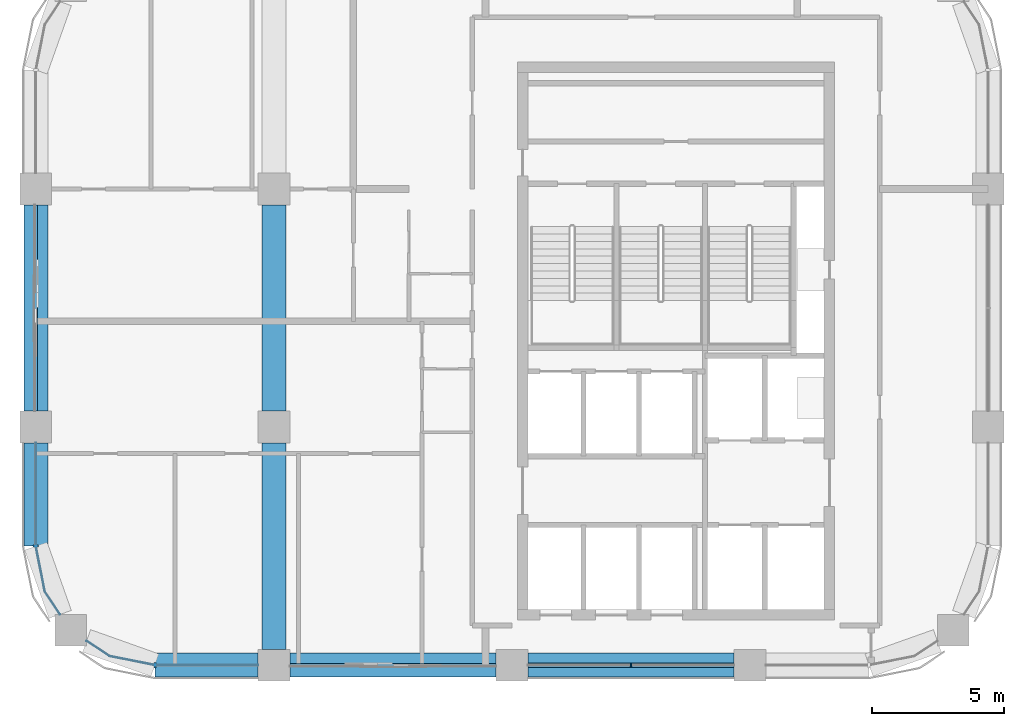
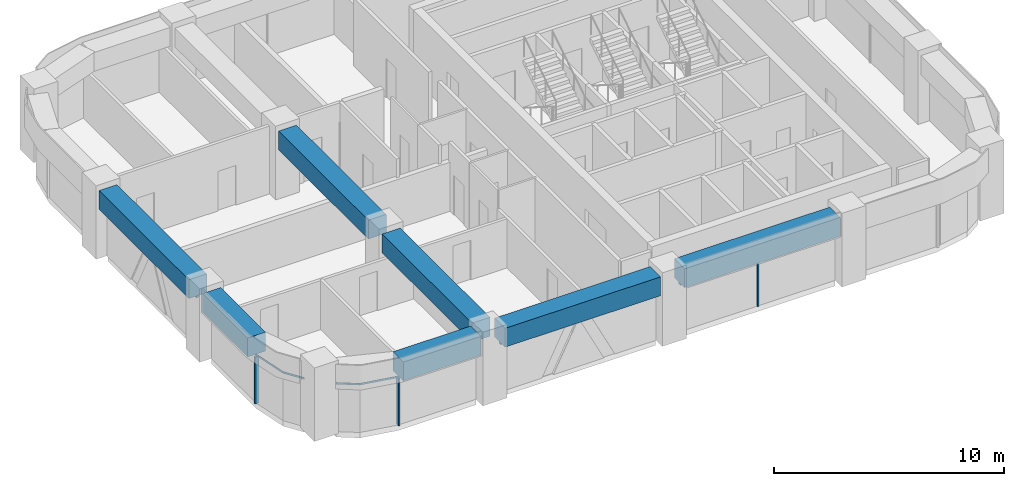
# One storey, part 2 of 10: 8 members, 7 beams, 5 elements without a shape of their own.
"""IFC4 building model written with IfcOpenShell, lengths in metres."""

from ifc_helpers import new_model, si_unit, direction, frame, origin, origin_2d, place, context, subcontext, project, spatial, polyline, rectangle, outline, extrude, material, material_profile, profile_set, type_object, element, aggregate, save


model = new_model("IFC4")

# Units and contexts
model_context = context("Model", 3, precision=1e-05, world=origin(), true_north=direction((0.0, 1.0)))
body_context = subcontext(model_context, "Body", "Model", "MODEL_VIEW")
ifc_project = project(units=[si_unit("LENGTHUNIT", "METRE"), si_unit("AREAUNIT", "SQUARE_METRE"), si_unit("VOLUMEUNIT", "CUBIC_METRE"), si_unit("PLANEANGLEUNIT", "RADIAN"), si_unit("MASSUNIT", "GRAM", prefix="KILO")], contexts=[model_context])

# Site, building, storey
site_placement = place(None, origin())
site = spatial("IfcSite", under=ifc_project, at=site_placement, CompositionType="ELEMENT")
building_placement = place(site_placement, origin())
building = spatial("IfcBuilding", under=site, at=building_placement, Name="Tessera Arch", CompositionType="ELEMENT")
storey_placement = place(building_placement, frame((0.0, 0.0, 254.0)))
storey = spatial("IfcBuildingStorey", under=building, at=storey_placement, Name="L61", CompositionType="ELEMENT", Elevation=254.0)

# Curtain wall, members
ifc_material_1 = material(Name="CW1 curtain wall")
curtain_wall_type_1 = type_object("IfcCurtainWallType", Name="CW1 curtain wall", PredefinedType="NOTDEFINED", material=ifc_material_1)
curtain_wall_1_placement = place(storey_placement, origin())
curtain_wall_1 = element("IfcCurtainWall", 1, at=curtain_wall_1_placement, inside=storey, type_object=curtain_wall_type_1, Name="CW1 curtain wall S27.18/2 L61", PredefinedType="NOTDEFINED")
ifc_material_2 = material(Name="Anodised aluminium pale metal", Category="aluminium")
ifc_material_profile_1 = material_profile(ifc_material_2, rectangle(XDim=0.159912109375, YDim=0.06005859375, at=origin_2d()), Name="AL 60x160")
ifc_profile_set_1 = profile_set([ifc_material_profile_1], Name="Anodised aluminium pale metal")
member_type_1 = type_object("IfcMemberType", Name="CW1 mullion", PredefinedType="MULLION", material=ifc_profile_set_1)
member_1_placement = place(storey_placement, frame((40.5, 27.0, 0.0), z_axis=(0.0, 0.0, 1.0), x_axis=(0.0, 1.0, 0.0)))
member_1 = element("IfcMember", 2, at=member_1_placement, type_object=member_type_1, Name="CW1 mullion S27.18/2 1", PredefinedType="MULLION", context=body_context, shape_type="SweptSolid", body=[
    extrude(rectangle(XDim=0.159912109375, YDim=0.06005859375, at=origin_2d()), origin(), (0.0, 0.0, 1.0), 2.5),
])
ifc_material_3 = material(Name="Anodised aluminium pale metal", Category="aluminium")
ifc_material_profile_2 = material_profile(ifc_material_3, rectangle(XDim=0.159912109375, YDim=0.10009765625, at=origin_2d()), Name="AL 160x100")
ifc_profile_set_2 = profile_set([ifc_material_profile_2], Name="Anodised aluminium pale metal")
member_type_2 = type_object("IfcMemberType", Name="CW1 transom", PredefinedType="USERDEFINED", material=ifc_profile_set_2)
member_2_placement = place(storey_placement, frame((36.60009765625, 27.0, 2.550048828125), z_axis=(1.0, 0.0, 0.0), x_axis=(0.0, 1.0, 0.0)))
member_2 = element("IfcMember", 3, at=member_2_placement, type_object=member_type_2, Name="CW1 transom S27.18/2 1.1", ObjectType="TRANSOM", PredefinedType="USERDEFINED", context=body_context, shape_type="SweptSolid", body=[
    extrude(rectangle(XDim=0.159912109375, YDim=0.10009765625, at=origin_2d()), origin(), (0.0, 0.0, 1.0), 7.7998046875),
])
aggregate(curtain_wall_1, [member_1, member_2])

# Curtain wall, member
ifc_material_4 = material(Name="CW2 curtain wall")
curtain_wall_type_2 = type_object("IfcCurtainWallType", Name="CW2 curtain wall", PredefinedType="NOTDEFINED", material=ifc_material_4)
curtain_wall_2_placement = place(storey_placement, origin())
curtain_wall_2 = element("IfcCurtainWall", 4, at=curtain_wall_2_placement, inside=storey, type_object=curtain_wall_type_2, Name="CW2 curtain wall W18.27/2 L61", PredefinedType="NOTDEFINED")
ifc_material_5 = material(Name="Anodised aluminium pale metal", Category="aluminium")
ifc_material_profile_3 = material_profile(ifc_material_5, rectangle(XDim=0.199951171875, YDim=0.080078125, at=origin_2d()), Name="AL 80x200")
ifc_profile_set_3 = profile_set([ifc_material_profile_3], Name="Anodised aluminium pale metal")
member_type_3 = type_object("IfcMemberType", Name="CW2 mullion", PredefinedType="MULLION", material=ifc_profile_set_3)
member_3_placement = place(storey_placement, frame((18.0, 31.5, 0.0), z_axis=(0.0, 0.0, 1.0), x_axis=(1.0, 0.0, 0.0)))
member_3 = element("IfcMember", 5, at=member_3_placement, type_object=member_type_3, Name="CW2 mullion W18.27/2 1", PredefinedType="MULLION", context=body_context, shape_type="SweptSolid", body=[
    extrude(rectangle(XDim=0.199951171875, YDim=0.080078125, at=origin_2d()), origin(), (0.0, 0.0, 1.0), 2.5),
])

curtain_wall_3_placement = place(storey_placement, origin())
curtain_wall_3 = element("IfcCurtainWall", 6, at=curtain_wall_3_placement, inside=storey, type_object=curtain_wall_type_2, Name="CW2 curtain wall S27.18/0 L61", PredefinedType="NOTDEFINED")
member_4_placement = place(storey_placement, frame((22.5, 27.0, 0.0), z_axis=(0.0, 0.0, 1.0), x_axis=(0.0, 1.0, 0.0)))
member_4 = element("IfcMember", 7, at=member_4_placement, type_object=member_type_3, Name="CW2 mullion S27.18/0 1", PredefinedType="MULLION", context=body_context, shape_type="SweptSolid", body=[
    extrude(rectangle(XDim=0.199951171875, YDim=0.080078125, at=origin_2d()), origin(), (0.0, 0.0, 1.0), 2.5),
])

# Member
ifc_material_6 = material(Name="Anodised aluminium pale metal", Category="aluminium")
ifc_material_profile_4 = material_profile(ifc_material_6, rectangle(XDim=0.199951171875, YDim=0.10009765625, at=origin_2d()), Name="AL 200x100")
ifc_profile_set_4 = profile_set([ifc_material_profile_4], Name="Anodised aluminium pale metal")
member_type_4 = type_object("IfcMemberType", Name="CW2 transom", PredefinedType="USERDEFINED", material=ifc_profile_set_4)
member_5_placement = place(storey_placement, frame((0.0, 0.0, 2.5)))
member_5 = element("IfcMember", 8, at=member_5_placement, type_object=member_type_4, Name="CW2 transom W18.27/2 1", ObjectType="TRANSOM", PredefinedType="USERDEFINED", context=body_context, shape_type="SweptSolid", body=[
    extrude(outline(polyline([(18.010009765625, 31.5009765625), (18.010009765625, 35.39990234375), (17.989990234375, 35.39990234375), (17.989990234375, 31.4990234375), (18.3330078125, 29.77392578125), (18.90869140625, 28.912353515625), (18.92529296875, 28.923583984375), (18.351806640625, 29.78173828125), (18.010009765625, 31.5009765625)])), origin(), (0.0, 0.0, 1.0), 0.10009765625),
])

aggregate(curtain_wall_2, [member_3, member_5])

member_6_placement = place(storey_placement, frame((0.0, 0.0, 2.5)))
member_6 = element("IfcMember", 9, at=member_6_placement, type_object=member_type_4, Name="CW2 transom S27.18/0 1", ObjectType="TRANSOM", PredefinedType="USERDEFINED", context=body_context, shape_type="SweptSolid", body=[
    extrude(outline(polyline([(20.78173828125, 27.351806640625), (19.923583984375, 27.92529296875), (19.912353515625, 27.90869140625), (20.77392578125, 27.3330078125), (22.4990234375, 26.989990234375), (26.39990234375, 26.989990234375), (26.39990234375, 27.010009765625), (22.5009765625, 27.010009765625), (20.78173828125, 27.351806640625)])), origin(), (0.0, 0.0, 1.0), 0.10009765625),
])

aggregate(curtain_wall_3, [member_4, member_6])

# Curtain wall, member
ifc_material_7 = material(Name="CW3 curtain wall")
curtain_wall_type_3 = type_object("IfcCurtainWallType", Name="CW3 curtain wall", PredefinedType="NOTDEFINED", material=ifc_material_7)
curtain_wall_4_placement = place(storey_placement, origin())
curtain_wall_4 = element("IfcCurtainWall", 10, at=curtain_wall_4_placement, inside=storey, type_object=curtain_wall_type_3, Name="CW3 curtain wall W18.27/1 L61", PredefinedType="NOTDEFINED")
ifc_material_8 = material(Name="Anodised aluminium pale metal", Category="aluminium")
ifc_material_profile_5 = material_profile(ifc_material_8, rectangle(XDim=0.139892578125, YDim=0.10009765625, at=origin_2d()), Name="AL 140x100")
ifc_profile_set_5 = profile_set([ifc_material_profile_5], Name="Anodised aluminium pale metal")
member_type_5 = type_object("IfcMemberType", Name="CW3 transom", PredefinedType="USERDEFINED", material=ifc_profile_set_5)
member_7_placement = place(storey_placement, frame((18.0, 44.39990234375, 2.550048828125), z_axis=(0.0, -1.0, 0.0), x_axis=(1.0, 0.0, 0.0)))
member_7 = element("IfcMember", 11, at=member_7_placement, type_object=member_type_5, Name="CW3 transom W18.27/1 1.1", ObjectType="TRANSOM", PredefinedType="USERDEFINED", context=body_context, shape_type="SweptSolid", body=[
    extrude(rectangle(XDim=0.139892578125, YDim=0.10009765625, at=origin_2d()), origin(), (0.0, 0.0, 1.0), 7.7998046875),
])
aggregate(curtain_wall_4, [member_7])

curtain_wall_5_placement = place(storey_placement, origin())
curtain_wall_5 = element("IfcCurtainWall", 12, at=curtain_wall_5_placement, inside=storey, type_object=curtain_wall_type_3, Name="CW3 curtain wall S27.18/1 L61", PredefinedType="NOTDEFINED")
member_8_placement = place(storey_placement, frame((27.60009765625, 27.0, 2.550048828125), z_axis=(1.0, 0.0, 0.0), x_axis=(0.0, 1.0, 0.0)))
member_8 = element("IfcMember", 13, at=member_8_placement, type_object=member_type_5, Name="CW3 transom S27.18/1 1.1", ObjectType="TRANSOM", PredefinedType="USERDEFINED", context=body_context, shape_type="SweptSolid", body=[
    extrude(rectangle(XDim=0.139892578125, YDim=0.10009765625, at=origin_2d()), origin(), (0.0, 0.0, 1.0), 7.7998046875),
])
aggregate(curtain_wall_5, [member_8])

# Beams
ifc_material_9 = material(Name="Concrete C60/75", Category="concrete")
ifc_material_profile_6 = material_profile(ifc_material_9, rectangle(XDim=0.89990234375, YDim=1.0, at=origin_2d()), Name="RC spandrel beam 900 x 1000 Concrete C60/75")
ifc_profile_set_6 = profile_set([ifc_material_profile_6], Name="Concrete C60/75")
beam_type = type_object("IfcBeamType", Name="RC spandrel beam 900 x 1000 Concrete C60/75", PredefinedType="BEAM", material=ifc_profile_set_6)
beam_placement = place(storey_placement, frame((18.0, 44.39990234375, 3.10009765625), z_axis=(0.0, -1.0, 0.0), x_axis=(1.0, 0.0, 0.0)))
element("IfcBeam", 14, at=beam_placement, inside=storey, type_object=beam_type, Name="Spandrel beam L61 W18.27/1", PredefinedType="BEAM", context=body_context, shape_type="SweptSolid", body=[
    extrude(rectangle(XDim=0.89990234375, YDim=1.0, at=origin_2d()), origin(), (0.0, 0.0, 1.0), 7.7998046875),
])
for number, where, z_axis, x_axis, name in (
    (15, (18.0, 35.39990234375, 3.10009765625), (0.0, -1.0, 0.0), (1.0, 0.0, 0.0), "Spandrel beam L61 W18.27/2.1"),
    (16, (22.5, 27.0, 3.10009765625), (1.0, 0.0, 0.0), (0.0, 1.0, 0.0), "Spandrel beam L61 S27.18/0.2"),
):
    element("IfcBeam", number, at=place(storey_placement, frame(where, z_axis=z_axis, x_axis=x_axis)), inside=storey, type_object=beam_type, Name=name, PredefinedType="BEAM", context=body_context, shape_type="SweptSolid", body=[
        extrude(rectangle(XDim=0.89990234375, YDim=1.0, at=origin_2d()), origin(), (0.0, 0.0, 1.0), 3.89990234375),
    ])
for number, where, z_axis, x_axis, name in (
    (17, (27.60009765625, 27.0, 3.10009765625), (1.0, 0.0, 0.0), (0.0, 1.0, 0.0), "Spandrel beam L61 S27.18/1"),
    (18, (36.60009765625, 27.0, 3.10009765625), (1.0, 0.0, 0.0), (0.0, 1.0, 0.0), "Spandrel beam L61 S27.18/2"),
    (19, (27.0, 27.60009765625, 3.10009765625), (0.0, 1.0, 0.0), (-1.0, 0.0, 0.0), "Interface beam L61 I0C4D-C4E"),
    (20, (27.0, 36.60009765625, 3.10009765625), (0.0, 1.0, 0.0), (-1.0, 0.0, 0.0), "Interface beam L61 I0C4E-C4F"),
):
    element("IfcBeam", number, at=place(storey_placement, frame(where, z_axis=z_axis, x_axis=x_axis)), inside=storey, type_object=beam_type, Name=name, PredefinedType="BEAM", context=body_context, shape_type="SweptSolid", body=[
        extrude(rectangle(XDim=0.89990234375, YDim=1.0, at=origin_2d()), origin(), (0.0, 0.0, 1.0), 7.7998046875),
    ])

save(model, "model.ifc")
